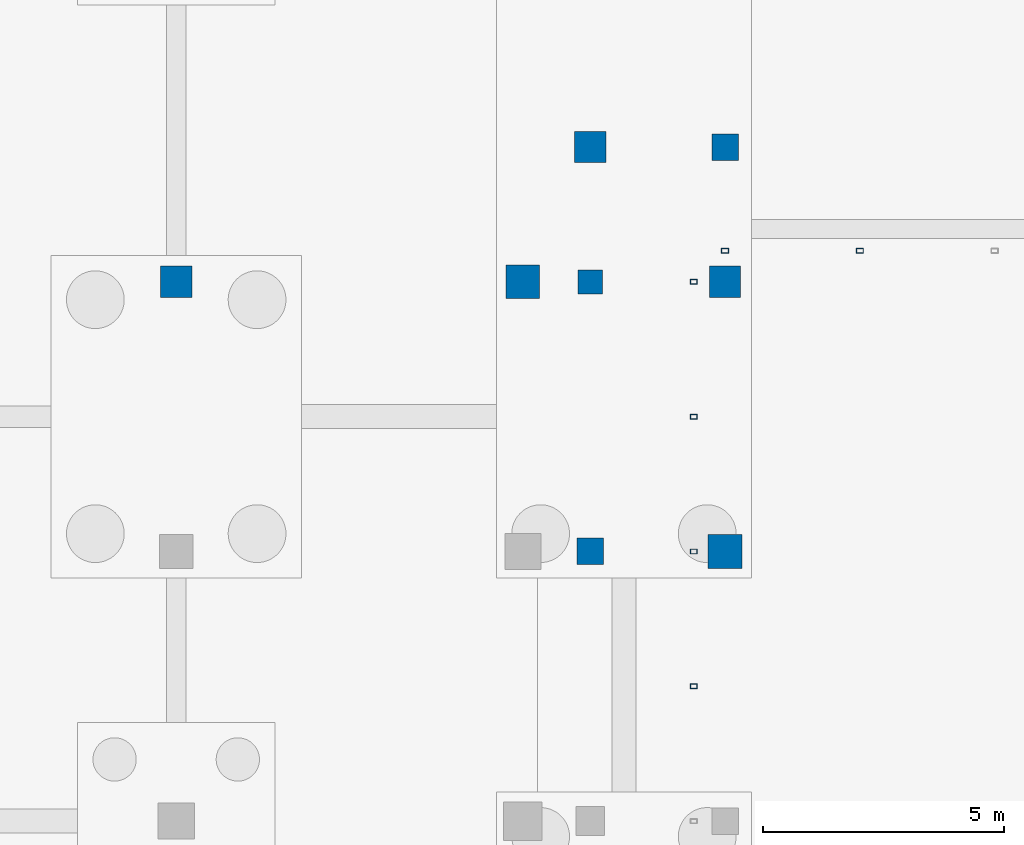
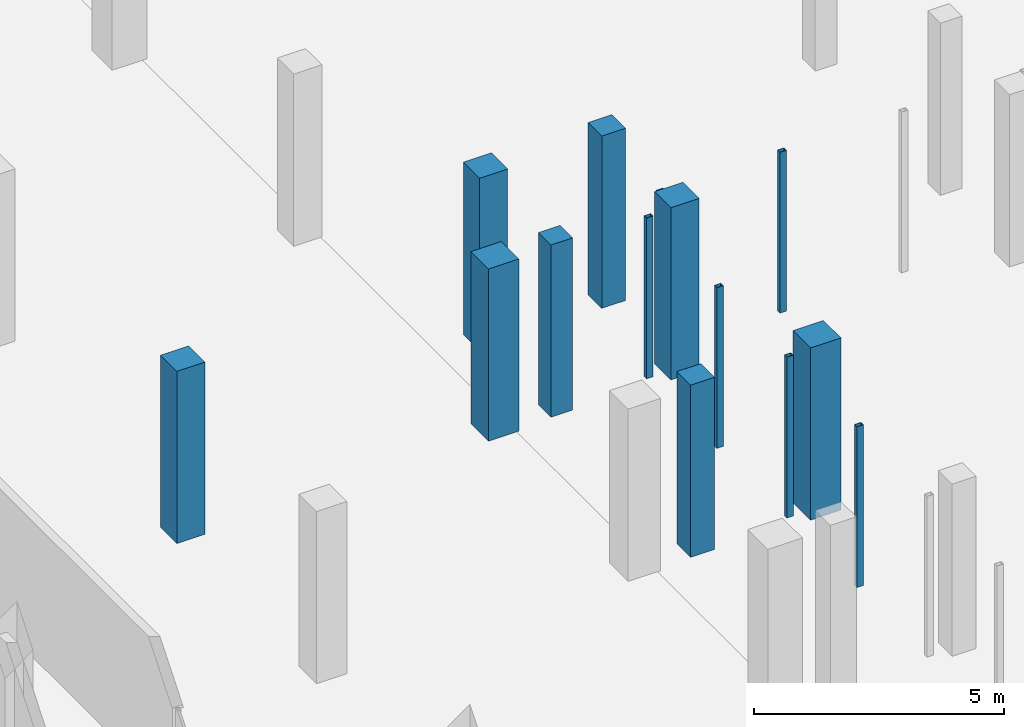
# One storey, part 15 of 34: 14 columns.
"""IFC4 building model written with IfcOpenShell, lengths in metres."""

import ifcopenshell
import ifcopenshell.guid

model = None  # the IFC model being written
_history = None  # IfcOwnerHistory: only IFC2X3 demands one
_inside = {}  # id of a spatial element -> (the spatial element, [elements in it])
_under = {}  # id of a project, library or spatial element -> (it, [spatial elements below it])
_declared = {}  # id of a project -> (the project, [libraries it declares])
_typed = {}  # id of a type object -> (the type object, [elements of that type])
_made_of = {}  # id of a material, layer set ... -> (it, [elements and type objects made of it])


def new_model(schema):
    """Start an empty IFC model of exactly this schema.

    Asked for "IFC4X3", IfcOpenShell would pick the latest addendum, in which some entities
    have other attributes; the version numbers below select the first issue.
    IFC2X3 requires an IfcOwnerHistory on every rooted entity: one is made here for all.
    """
    global model, _history
    if schema == "IFC4X3":
        model = ifcopenshell.file(schema_version=(4, 3, 0, 0))
    else:
        model = ifcopenshell.file(schema=schema)
    _inside.clear()
    _under.clear()
    _declared.clear()
    _typed.clear()
    _made_of.clear()
    _history = None
    if model.schema == "IFC2X3":
        org = make("IfcOrganization", Name="unknown")
        user = make(
            "IfcPersonAndOrganization",
            ThePerson=make("IfcPerson", FamilyName="unknown"),
            TheOrganization=org,
        )
        app = make(
            "IfcApplication",
            ApplicationDeveloper=org,
            Version="unknown",
            ApplicationFullName="unknown",
            ApplicationIdentifier="unknown",
        )
        _history = make(
            "IfcOwnerHistory",
            OwningUser=user,
            OwningApplication=app,
            ChangeAction="ADDED",
            CreationDate=0,
        )
    return model


def make(cls, **values):
    """One entity of the class cls with the attributes given. An attribute that is None is left unset."""
    return model.create_entity(
        cls, **{name: value for name, value in values.items() if value is not None}
    )


def rooted(cls, **values):
    """An entity with a GlobalId (a new one), such as an element, a storey or a relation."""
    return make(cls, GlobalId=ifcopenshell.guid.new(), OwnerHistory=_history, **values)


def si_unit(unit_type, name, prefix=None):
    """IfcSIUnit, for example si_unit("LENGTHUNIT", "METRE", prefix="MILLI")."""
    return make("IfcSIUnit", UnitType=unit_type, Prefix=prefix, Name=name)


def assignment(units):
    """IfcUnitAssignment: the units of a project."""
    return None if units is None else make("IfcUnitAssignment", Units=units)


def point(xyz):
    """IfcCartesianPoint."""
    return None if xyz is None else make("IfcCartesianPoint", Coordinates=xyz)


def direction(xyz):
    """IfcDirection."""
    return None if xyz is None else make("IfcDirection", DirectionRatios=xyz)


def frame(location, z_axis=None, x_axis=None):
    """IfcAxis2Placement3D, a coordinate frame: its origin and axes. An axis left out is left unset."""
    return make(
        "IfcAxis2Placement3D",
        Location=point(location),
        Axis=direction(z_axis),
        RefDirection=direction(x_axis),
    )


def frame_2d(location, x_axis=None):
    """IfcAxis2Placement2D, a coordinate frame in the plane: its origin and x axis."""
    return make(
        "IfcAxis2Placement2D", Location=point(location), RefDirection=direction(x_axis)
    )


def origin():
    """The frame at (0, 0, 0) with its axes left unset."""
    return frame((0.0, 0.0, 0.0))


def origin_2d():
    """The frame at (0, 0) in the plane with its x axis left unset."""
    return frame_2d((0.0, 0.0))


def place(relative_to, where):
    """IfcLocalPlacement: puts the frame where relative to a parent placement (None: the world)."""
    return make(
        "IfcLocalPlacement", PlacementRelTo=relative_to, RelativePlacement=where
    )


def context(
    kind, dimensions, precision=None, world=None, true_north=None, identifier=None
):
    """IfcGeometricRepresentationContext, for example the 3D "Model" context."""
    return make(
        "IfcGeometricRepresentationContext",
        ContextIdentifier=identifier,
        ContextType=kind,
        CoordinateSpaceDimension=dimensions,
        Precision=precision,
        WorldCoordinateSystem=world,
        TrueNorth=true_north,
    )


def subcontext(parent, identifier, kind, view, scale=None):
    """IfcGeometricRepresentationSubContext, for example "Body" below "Model"."""
    return make(
        "IfcGeometricRepresentationSubContext",
        ContextIdentifier=identifier,
        ContextType=kind,
        ParentContext=parent,
        TargetScale=scale,
        TargetView=view,
    )


def project(units=None, contexts=None):
    """IfcProject with its units and contexts."""
    return rooted(
        "IfcProject",
        Name="project",
        RepresentationContexts=contexts,
        UnitsInContext=assignment(units),
    )


def spatial(cls, under=None, at=None, **own):
    """A site, building, storey or space (cls), placed at a placement, below another one or the project."""
    s = rooted(cls, ObjectPlacement=at, **own)
    if under is not None:
        _under.setdefault(under.id(), (under, []))[1].append(s)
    return s


def profile(cls, at=None, kind="AREA", **sizes):
    """A parametric profile (cls). Its sizes go by their IFC names, for example OverallWidth=200.0."""
    return make(cls, ProfileType=kind, Position=at, **sizes)


def rectangle(**sizes):
    """IfcRectangleProfileDef."""
    return profile("IfcRectangleProfileDef", **sizes)


def hollow_rectangle(**sizes):
    """IfcRectangleHollowProfileDef."""
    return profile("IfcRectangleHollowProfileDef", **sizes)


def extrude(swept, where, along, depth):
    """IfcExtrudedAreaSolid: the profile swept, set in the frame where, extruded along a direction by depth."""
    return make(
        "IfcExtrudedAreaSolid",
        SweptArea=swept,
        Position=where,
        ExtrudedDirection=direction(along),
        Depth=depth,
    )


def shape(context_of_items, identifier, shape_type, items):
    """IfcShapeRepresentation: the items that make up one representation, for example the "Body"."""
    return make(
        "IfcShapeRepresentation",
        ContextOfItems=context_of_items,
        RepresentationIdentifier=identifier,
        RepresentationType=shape_type,
        Items=items,
    )


def material(Name=None, Category=None):
    """IfcMaterial."""
    return make("IfcMaterial", Name=Name, Category=Category)


def material_profile(
    of_material, cross_section, Name=None, Category=None, Priority=None
):
    """IfcMaterialProfile: a cross section and its material."""
    return make(
        "IfcMaterialProfile",
        Name=Name,
        Material=of_material,
        Profile=cross_section,
        Priority=Priority,
        Category=Category,
    )


def profile_set(profiles, Name=None, composite=None):
    """IfcMaterialProfileSet."""
    return make(
        "IfcMaterialProfileSet",
        Name=Name,
        MaterialProfiles=profiles,
        CompositeProfile=composite,
    )


def made_of(thing, what):
    """Note that an element or type object is made of a material, layer set ...; save() writes the relation."""
    if what is not None:
        _made_of.setdefault(what.id(), (what, []))[1].append(thing)
    return thing


def type_object(cls, material=None, **own):
    """A type object (cls), such as IfcWallType, which elements share."""
    return made_of(rooted(cls, **own), material)


def element(
    cls,
    number,
    at=None,
    inside=None,
    cuts=None,
    type_object=None,
    material=None,
    context=None,
    identifier="Body",
    shape_type=None,
    held_by="IfcProductDefinitionShape",
    body=None,
    shapes=None,
    **own,
):
    """One element of the class cls, such as IfcWall. Its Tag is "e" and its number.

    at: its placement. inside: the storey or other place that contains it. cuts: it is an
    opening in that element (IfcRelVoidsElement). A single representation is given by context,
    identifier, shape_type and body (its items); several are given by shapes. held_by: the class
    of the entity that holds the representations. save() writes the other relations.
    """
    e = rooted(cls, Tag="e%d" % number, ObjectPlacement=at, **own)
    if body is not None:
        shapes = [shape(context, identifier, shape_type, body)]
    if shapes is not None:
        e.Representation = make(held_by, Representations=shapes)
    if inside is not None:
        _inside.setdefault(inside.id(), (inside, []))[1].append(e)
    if cuts is not None:
        rooted(
            "IfcRelVoidsElement", RelatingBuildingElement=cuts, RelatedOpeningElement=e
        )
    if type_object is not None:
        _typed.setdefault(type_object.id(), (type_object, []))[1].append(e)
    return made_of(e, material)


def aggregate(whole, parts):
    """IfcRelAggregates: a whole, such as a stair, and the parts it consists of."""
    return rooted("IfcRelAggregates", RelatingObject=whole, RelatedObjects=parts)


def save(model, path):
    """Write the relations noted so far, then the file.

    IfcRelAggregates (storeys below a building ...), IfcRelContainedInSpatialStructure (elements
    in a storey), IfcRelDefinesByType, IfcRelAssociatesMaterial and IfcRelDeclares: one each for
    every whole, place, type object, material and project.
    """
    for whole, parts in _under.values():
        aggregate(whole, parts)
    for where, things in _inside.values():
        rooted(
            "IfcRelContainedInSpatialStructure",
            RelatedElements=things,
            RelatingStructure=where,
        )
    for kind, things in _typed.values():
        rooted("IfcRelDefinesByType", RelatedObjects=things, RelatingType=kind)
    for what, things in _made_of.values():
        rooted("IfcRelAssociatesMaterial", RelatedObjects=things, RelatingMaterial=what)
    for by, libraries in _declared.values():
        rooted("IfcRelDeclares", RelatingContext=by, RelatedDefinitions=libraries)
    model.write(path)


model = new_model("IFC4")

# Units and contexts
model_context = context("Model", 3, precision=1e-05, world=origin(), true_north=direction((0.0, 1.0)))
body_context = subcontext(model_context, "Body", "Model", "MODEL_VIEW")
ifc_project = project(units=[si_unit("LENGTHUNIT", "METRE"), si_unit("AREAUNIT", "SQUARE_METRE"), si_unit("VOLUMEUNIT", "CUBIC_METRE"), si_unit("PLANEANGLEUNIT", "RADIAN"), si_unit("MASSUNIT", "GRAM", prefix="KILO")], contexts=[model_context])

# Site, building, storey
site_placement = place(None, origin())
site = spatial("IfcSite", under=ifc_project, at=site_placement, CompositionType="ELEMENT")
building_placement = place(site_placement, origin())
building = spatial("IfcBuilding", under=site, at=building_placement, Name="Vinh Khe Railworks Police Headquarters", CompositionType="ELEMENT")
storey_placement = place(building_placement, frame((0.0, 0.0, -4.199951171875)))
storey = spatial("IfcBuildingStorey", under=building, at=storey_placement, Name="B1", CompositionType="ELEMENT", Elevation=-4.199951171875)

# Columns
ifc_material_1 = material(Name="Steel S355JR", Category="steel")
ifc_material_profile_1 = material_profile(ifc_material_1, hollow_rectangle(XDim=0.14990234375, YDim=0.10009765625, WallThickness=0.008056640625, at=origin_2d()), Name="RHS 150x100x8")
ifc_profile_set_1 = profile_set([ifc_material_profile_1], Name="Steel S355JR")
column_type_1 = type_object("IfcColumnType", Name="COL-QUILT-POST", PredefinedType="COLUMN", material=ifc_profile_set_1)
for number, where, z_axis, x_axis, name in (
    (1, (26.39990234375, 59.449951171875, 0.0), (0.0, 0.0, 1.0), (1.0, 0.0, 0.0), "Patchwork Quilt Plinth Column N-1 (B1)"),
    (2, (29.199951171875, 59.449951171875, 0.0), (0.0, 0.0, 1.0), (1.0, 0.0, 0.0), "Patchwork Quilt Plinth Column N-2 (B1)"),
    (3, (25.75, 50.39990234375, 0.0), (0.0, 0.0, 1.0), (1.0, 0.0, 0.0), "Patchwork Quilt Plinth Column W-10 (B1)"),
    (4, (25.75, 53.199951171875, 0.0), (0.0, 0.0, 1.0), (1.0, 0.0, 0.0), "Patchwork Quilt Plinth Column W-11 (B1)"),
    (5, (25.75, 56.0, 0.0), (0.0, 0.0, 1.0), (1.0, 0.0, 0.0), "Patchwork Quilt Plinth Column W-12 (B1)"),
    (6, (25.75, 58.800048828125, 0.0), (0.0, 0.0, 1.0), (1.0, 0.0, 0.0), "Patchwork Quilt Plinth Column W-13 (B1)"),
):
    element("IfcColumn", number, at=place(storey_placement, frame(where, z_axis=z_axis, x_axis=x_axis)), inside=storey, type_object=column_type_1, Name=name, PredefinedType="COLUMN", context=body_context, shape_type="SweptSolid", body=[
        extrude(hollow_rectangle(XDim=0.14990234375, YDim=0.10009765625, WallThickness=0.008056640625, at=origin_2d()), origin(), (0.0, 0.0, 1.0), 3.919921875),
    ])
ifc_material_2 = material(Name="Concrete C40/50 (B40)", Category="concrete")
ifc_material_profile_2 = material_profile(ifc_material_2, rectangle(XDim=0.5, YDim=0.5, at=origin_2d()), Name="RC 500x500")
ifc_profile_set_2 = profile_set([ifc_material_profile_2], Name="Concrete C40/50 (B40)")
column_type_2 = type_object("IfcColumnType", Name="RC Column RC 500x500", PredefinedType="COLUMN", material=ifc_profile_set_2)
column_placement = place(storey_placement, frame((23.60009765625, 58.800048828125, 0.0), z_axis=(0.0, 0.0, 1.0), x_axis=(1.0, 0.0, 0.0)))
element("IfcColumn", 7, at=column_placement, inside=storey, type_object=column_type_2, Name="Column COL-B1-CC-07-0690", PredefinedType="COLUMN", context=body_context, shape_type="SweptSolid", body=[
    extrude(rectangle(XDim=0.5, YDim=0.5, at=origin_2d()), origin(), (0.0, 0.0, 1.0), 4.199951171875),
])
ifc_material_profile_3 = material_profile(ifc_material_2, rectangle(XDim=0.550048828125, YDim=0.550048828125, at=origin_2d()), Name="RC 550x550")
ifc_profile_set_3 = profile_set([ifc_material_profile_3], Name="Concrete C40/50 (B40)")
column_type_3 = type_object("IfcColumnType", Name="RC Column RC 550x550", PredefinedType="COLUMN", material=ifc_profile_set_3)
for number, where, z_axis, x_axis, name in (
    (8, (23.60009765625, 53.199951171875, 0.0), (0.0, 0.0, 1.0), (1.0, 0.0, 0.0), "Column COL-B1-CC-06-0685"),
    (9, (26.39990234375, 61.60009765625, 0.0), (0.0, 0.0, 1.0), (1.0, 0.0, 0.0), "Column COL-B1-CC-06-0757"),
):
    element("IfcColumn", number, at=place(storey_placement, frame(where, z_axis=z_axis, x_axis=x_axis)), inside=storey, type_object=column_type_3, Name=name, PredefinedType="COLUMN", context=body_context, shape_type="SweptSolid", body=[
        extrude(rectangle(XDim=0.550048828125, YDim=0.550048828125, at=origin_2d()), origin(), (0.0, 0.0, 1.0), 4.199951171875),
    ])
ifc_material_profile_4 = material_profile(ifc_material_2, rectangle(XDim=0.64990234375, YDim=0.64990234375, at=origin_2d()), Name="RC 650x650")
ifc_profile_set_4 = profile_set([ifc_material_profile_4], Name="Concrete C40/50 (B40)")
column_type_4 = type_object("IfcColumnType", Name="RC Column RC 650x650", PredefinedType="COLUMN", material=ifc_profile_set_4)
for number, where, z_axis, x_axis, name in (
    (10, (15.0, 58.800048828125, 0.0), (0.0, 0.0, 1.0), (1.0, 0.0, 0.0), "Column COL-B1-CC-04-0411"),
    (11, (23.60009765625, 61.60009765625, 0.0), (0.0, 0.0, 1.0), (1.0, 0.0, 0.0), "Column COL-B1-CC-04-0695"),
    (12, (26.39990234375, 58.800048828125, 0.0), (0.0, 0.0, 1.0), (1.0, 0.0, 0.0), "Column COL-B1-CC-04-0752"),
):
    element("IfcColumn", number, at=place(storey_placement, frame(where, z_axis=z_axis, x_axis=x_axis)), inside=storey, type_object=column_type_4, Name=name, PredefinedType="COLUMN", context=body_context, shape_type="SweptSolid", body=[
        extrude(rectangle(XDim=0.64990234375, YDim=0.64990234375, at=origin_2d()), origin(), (0.0, 0.0, 1.0), 4.199951171875),
    ])
ifc_material_profile_5 = material_profile(ifc_material_2, rectangle(XDim=0.699951171875, YDim=0.699951171875, at=origin_2d()), Name="RC 700x700")
ifc_profile_set_5 = profile_set([ifc_material_profile_5], Name="Concrete C40/50 (B40)")
column_type_5 = type_object("IfcColumnType", Name="RC Column RC 700x700", PredefinedType="COLUMN", material=ifc_profile_set_5)
for number, where, z_axis, x_axis, name in (
    (13, (22.199951171875, 58.800048828125, 0.0), (0.0, 0.0, 1.0), (1.0, 0.0, 0.0), "Column COL-B1-CC-03-0571"),
    (14, (26.39990234375, 53.199951171875, 0.0), (0.0, 0.0, 1.0), (1.0, 0.0, 0.0), "Column COL-B1-CC-03-0747"),
):
    element("IfcColumn", number, at=place(storey_placement, frame(where, z_axis=z_axis, x_axis=x_axis)), inside=storey, type_object=column_type_5, Name=name, PredefinedType="COLUMN", context=body_context, shape_type="SweptSolid", body=[
        extrude(rectangle(XDim=0.699951171875, YDim=0.699951171875, at=origin_2d()), origin(), (0.0, 0.0, 1.0), 4.199951171875),
    ])

save(model, "model.ifc")
